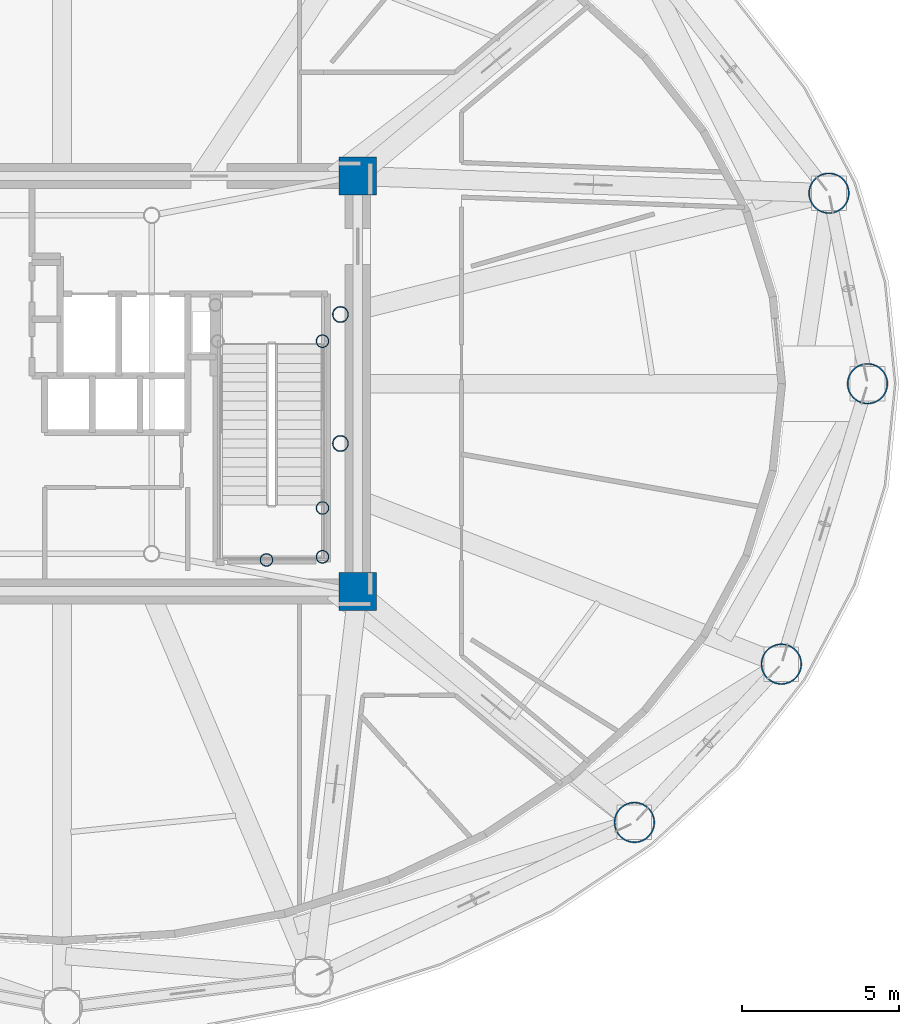
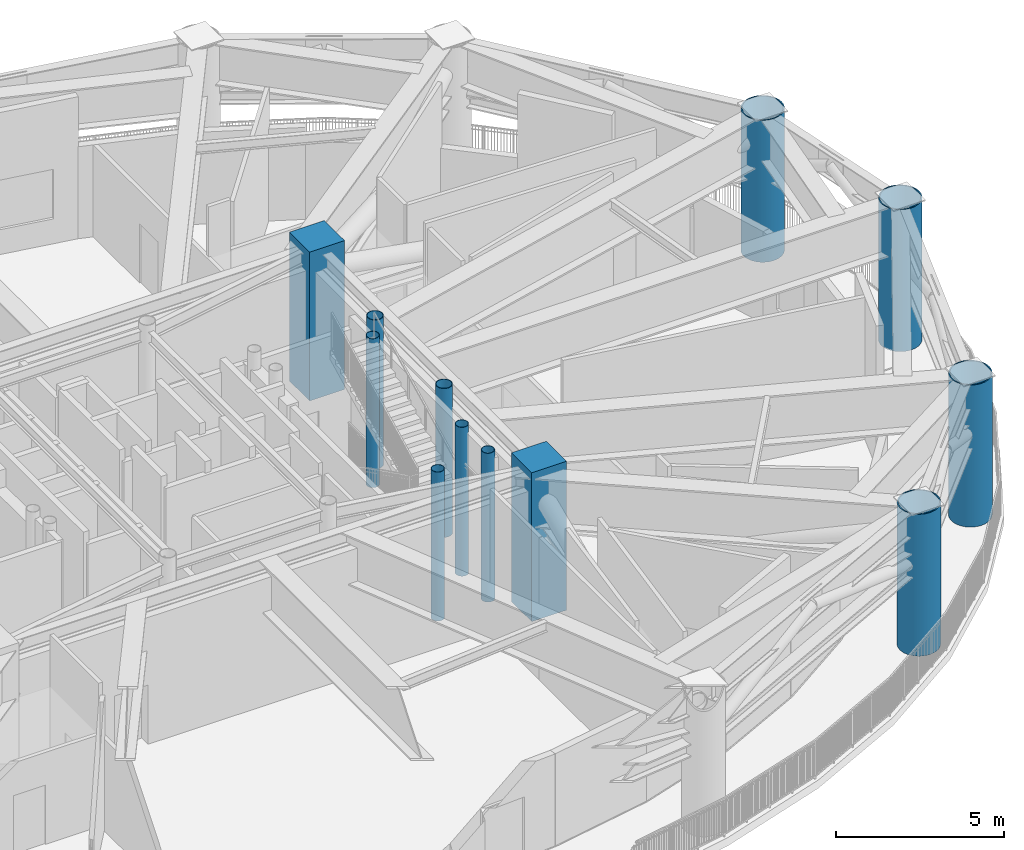
# One storey, part 2 of 20: 12 columns.
"""IFC4 building model written with IfcOpenShell, lengths in metres."""

from ifc_helpers import new_model, si_unit, direction, frame, origin, origin_2d, place, context, subcontext, project, spatial, rectangle, hollow_circle, extrude, material, material_profile, profile_set, type_object, element, save


model = new_model("IFC4")

# Units and contexts
model_context = context("Model", 3, precision=1e-05, world=origin(), true_north=direction((0.0, 1.0)))
body_context = subcontext(model_context, "Body", "Model", "MODEL_VIEW")
ifc_project = project(units=[si_unit("LENGTHUNIT", "METRE"), si_unit("AREAUNIT", "SQUARE_METRE"), si_unit("VOLUMEUNIT", "CUBIC_METRE"), si_unit("PLANEANGLEUNIT", "RADIAN"), si_unit("MASSUNIT", "GRAM", prefix="KILO")], contexts=[model_context])

# Site, building, storey
site_placement = place(None, origin())
site = spatial("IfcSite", under=ifc_project, at=site_placement, CompositionType="ELEMENT")
building_placement = place(site_placement, origin())
building = spatial("IfcBuilding", under=site, at=building_placement, Name="Linh Dai School and Residence Tower", CompositionType="ELEMENT")
storey_placement = place(building_placement, frame((0.0, 0.0, 204.89990234375)))
storey = spatial("IfcBuildingStorey", under=building, at=storey_placement, Name="L50", CompositionType="ELEMENT", Elevation=204.89990234375)

# Columns
ifc_material_1 = material(Name="Concrete B60 (C50/60)", Category="concrete")
ifc_material_profile_1 = material_profile(ifc_material_1, rectangle(XDim=1.199951171875, YDim=1.199951171875, at=origin_2d()), Name="RC 1200x1200")
ifc_profile_set_1 = profile_set([ifc_material_profile_1], Name="Concrete B60 (C50/60)")
column_type_1 = type_object("IfcColumnType", Name="COL-CC2", PredefinedType="COLUMN", material=ifc_profile_set_1)
for number, where, z_axis, x_axis, name in (
    (1, (45.39990234375, 20.39990234375, 0.0), (0.0, 0.0, 1.0), (1.0, 0.0, 0.0), "L50 Core Corner Pier CC2"),
    (2, (45.39990234375, 33.60009765625, 0.0), (0.0, 0.0, 1.0), (1.0, 0.0, 0.0), "L50 Core Corner Pier CC3"),
):
    element("IfcColumn", number, at=place(storey_placement, frame(where, z_axis=z_axis, x_axis=x_axis)), inside=storey, type_object=column_type_1, Name=name, PredefinedType="COLUMN", context=body_context, shape_type="SweptSolid", body=[
        extrude(rectangle(XDim=1.199951171875, YDim=1.199951171875, at=origin_2d()), origin(), (0.0, 0.0, 1.0), 5.400146484375),
    ])
ifc_material_2 = material(Name="Structural Steel S355JR", Category="steel")
ifc_material_profile_2 = material_profile(ifc_material_2, hollow_circle(Radius=0.203125, WallThickness=0.01611328125, at=origin_2d()), Name="CHS 406.4x16")
ifc_profile_set_2 = profile_set([ifc_material_profile_2], Name="Structural Steel S355JR")
column_type_2 = type_object("IfcColumnType", Name="COL-EC", PredefinedType="COLUMN", material=ifc_profile_set_2)
for number, where, z_axis, x_axis, name in (
    (3, (44.280029296875, 21.5, 0.0), (0.0, 0.0, 1.0), (1.0, 0.0, 0.0), "L50 Stair Shaft Landing Support Pier ST2SE"),
    (4, (44.280029296875, 23.050048828125, 0.0), (0.0, 0.0, 1.0), (1.0, 0.0, 0.0), "L50 Stair Shaft Landing Support Pier ST2NE"),
    (5, (42.5, 21.39990234375, 0.0), (0.0, 0.0, 1.0), (1.0, 0.0, 0.0), "L50 Stair Shaft Landing Support Pier ST2MS"),
    (6, (44.280029296875, 28.35009765625, 0.0), (0.0, 0.0, 1.0), (1.0, 0.0, 0.0), "L50 Stair Shaft Landing Support Pier ST2N2"),
):
    element("IfcColumn", number, at=place(storey_placement, frame(where, z_axis=z_axis, x_axis=x_axis)), inside=storey, type_object=column_type_2, Name=name, PredefinedType="COLUMN", context=body_context, shape_type="SweptSolid", body=[
        extrude(hollow_circle(Radius=0.203125, WallThickness=0.01611328125, at=origin_2d()), origin(), (0.0, 0.0, 1.0), 5.400146484375),
    ])
ifc_material_profile_3 = material_profile(ifc_material_2, hollow_circle(Radius=0.64990234375, WallThickness=0.0400390625, at=origin_2d()), Name="CHS 1300x40")
ifc_profile_set_3 = profile_set([ifc_material_profile_3], Name="Structural Steel S355JR")
column_type_3 = type_object("IfcColumnType", Name="COL-MC4", PredefinedType="COLUMN", material=ifc_profile_set_3)
for number, where, z_axis, x_axis, name in (
    (7, (61.60009765625, 27.0, 0.0), (0.0, 0.0, 1.0), (1.0, 0.0, 0.0), "L50 Perimeter CFT Mega-Column MC01"),
    (8, (60.37451171875, 33.053466796875, 0.0), (0.0, 0.0, 1.0), (1.0, 0.0, 0.0), "L50 Perimeter CFT Mega-Column MC02"),
    (9, (54.1923828125, 13.058349609375, 0.0), (0.0, 0.0, 1.0), (1.0, 0.0, 0.0), "L50 Perimeter CFT Mega-Column MC15"),
    (10, (58.862548828125, 18.0888671875, 0.0), (0.0, 0.0, 1.0), (1.0, 0.0, 0.0), "L50 Perimeter CFT Mega-Column MC16"),
):
    element("IfcColumn", number, at=place(storey_placement, frame(where, z_axis=z_axis, x_axis=x_axis)), inside=storey, type_object=column_type_3, Name=name, PredefinedType="COLUMN", context=body_context, shape_type="SweptSolid", body=[
        extrude(hollow_circle(Radius=0.64990234375, WallThickness=0.0400390625, at=origin_2d()), origin(), (0.0, 0.0, 1.0), 5.150146484375),
    ])
ifc_material_profile_4 = material_profile(ifc_material_2, hollow_circle(Radius=0.25390625, WallThickness=0.02001953125, at=origin_2d()), Name="CHS 508x20")
ifc_profile_set_4 = profile_set([ifc_material_profile_4], Name="Structural Steel S355JR")
column_type_4 = type_object("IfcColumnType", Name="COL-MCP", PredefinedType="COLUMN", material=ifc_profile_set_4)
for number, where, z_axis, x_axis, name in (
    (11, (44.85009765625, 25.10009765625, 0.0), (0.0, 0.0, 1.0), (1.0, 0.0, 0.0), "L50 Sky-Lounge Core Anchor Pier S"),
    (12, (44.85009765625, 29.199951171875, 0.0), (0.0, 0.0, 1.0), (1.0, 0.0, 0.0), "L50 Sky-Lounge Core Anchor Pier N"),
):
    element("IfcColumn", number, at=place(storey_placement, frame(where, z_axis=z_axis, x_axis=x_axis)), inside=storey, type_object=column_type_4, Name=name, PredefinedType="COLUMN", context=body_context, shape_type="SweptSolid", body=[
        extrude(hollow_circle(Radius=0.25390625, WallThickness=0.02001953125, at=origin_2d()), origin(), (0.0, 0.0, 1.0), 5.400146484375),
    ])

save(model, "model.ifc")
